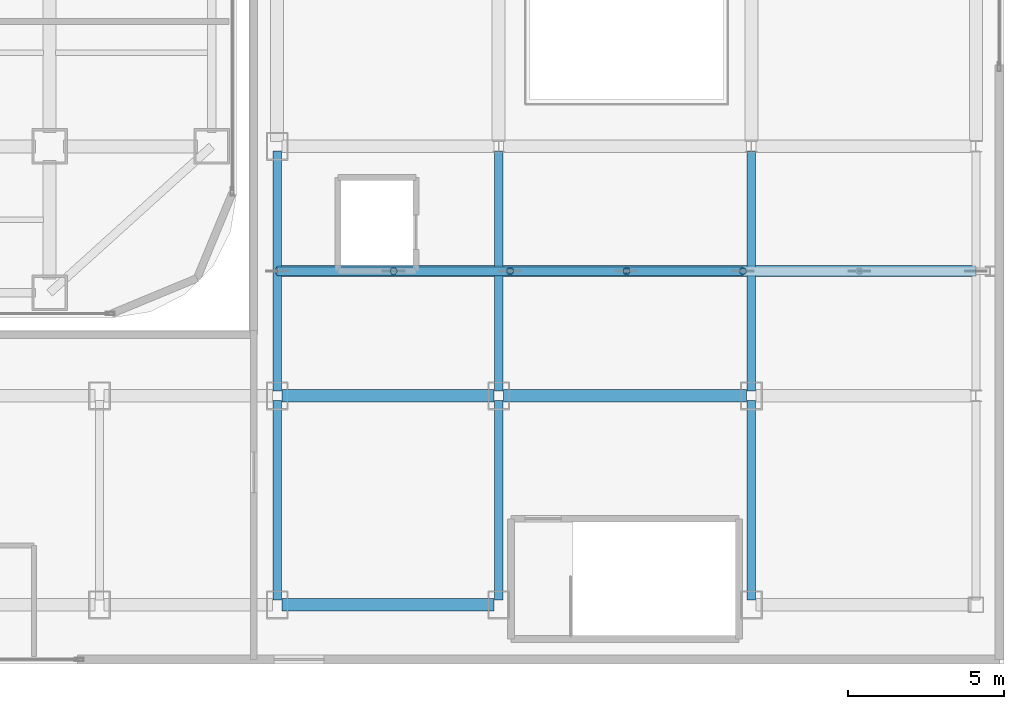
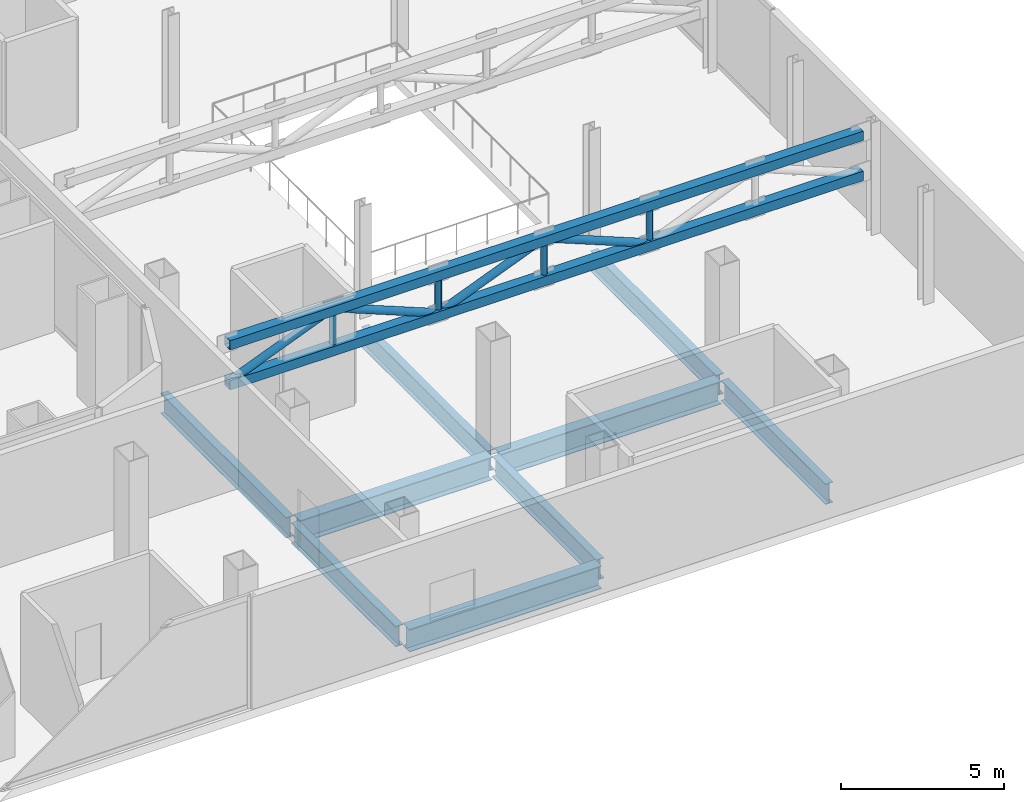
# One storey, part 11 of 28: 10 members, 9 beams.
"""IFC4 building model written with IfcOpenShell, lengths in metres."""

import ifcopenshell
import ifcopenshell.guid

model = None  # the IFC model being written
_history = None  # IfcOwnerHistory: only IFC2X3 demands one
_inside = {}  # id of a spatial element -> (the spatial element, [elements in it])
_under = {}  # id of a project, library or spatial element -> (it, [spatial elements below it])
_declared = {}  # id of a project -> (the project, [libraries it declares])
_typed = {}  # id of a type object -> (the type object, [elements of that type])
_made_of = {}  # id of a material, layer set ... -> (it, [elements and type objects made of it])


def new_model(schema):
    """Start an empty IFC model of exactly this schema.

    Asked for "IFC4X3", IfcOpenShell would pick the latest addendum, in which some entities
    have other attributes; the version numbers below select the first issue.
    IFC2X3 requires an IfcOwnerHistory on every rooted entity: one is made here for all.
    """
    global model, _history
    if schema == "IFC4X3":
        model = ifcopenshell.file(schema_version=(4, 3, 0, 0))
    else:
        model = ifcopenshell.file(schema=schema)
    _inside.clear()
    _under.clear()
    _declared.clear()
    _typed.clear()
    _made_of.clear()
    _history = None
    if model.schema == "IFC2X3":
        org = make("IfcOrganization", Name="unknown")
        user = make(
            "IfcPersonAndOrganization",
            ThePerson=make("IfcPerson", FamilyName="unknown"),
            TheOrganization=org,
        )
        app = make(
            "IfcApplication",
            ApplicationDeveloper=org,
            Version="unknown",
            ApplicationFullName="unknown",
            ApplicationIdentifier="unknown",
        )
        _history = make(
            "IfcOwnerHistory",
            OwningUser=user,
            OwningApplication=app,
            ChangeAction="ADDED",
            CreationDate=0,
        )
    return model


def make(cls, **values):
    """One entity of the class cls with the attributes given. An attribute that is None is left unset."""
    return model.create_entity(
        cls, **{name: value for name, value in values.items() if value is not None}
    )


def rooted(cls, **values):
    """An entity with a GlobalId (a new one), such as an element, a storey or a relation."""
    return make(cls, GlobalId=ifcopenshell.guid.new(), OwnerHistory=_history, **values)


def si_unit(unit_type, name, prefix=None):
    """IfcSIUnit, for example si_unit("LENGTHUNIT", "METRE", prefix="MILLI")."""
    return make("IfcSIUnit", UnitType=unit_type, Prefix=prefix, Name=name)


def assignment(units):
    """IfcUnitAssignment: the units of a project."""
    return None if units is None else make("IfcUnitAssignment", Units=units)


def point(xyz):
    """IfcCartesianPoint."""
    return None if xyz is None else make("IfcCartesianPoint", Coordinates=xyz)


def direction(xyz):
    """IfcDirection."""
    return None if xyz is None else make("IfcDirection", DirectionRatios=xyz)


def frame(location, z_axis=None, x_axis=None):
    """IfcAxis2Placement3D, a coordinate frame: its origin and axes. An axis left out is left unset."""
    return make(
        "IfcAxis2Placement3D",
        Location=point(location),
        Axis=direction(z_axis),
        RefDirection=direction(x_axis),
    )


def frame_2d(location, x_axis=None):
    """IfcAxis2Placement2D, a coordinate frame in the plane: its origin and x axis."""
    return make(
        "IfcAxis2Placement2D", Location=point(location), RefDirection=direction(x_axis)
    )


def origin():
    """The frame at (0, 0, 0) with its axes left unset."""
    return frame((0.0, 0.0, 0.0))


def origin_2d():
    """The frame at (0, 0) in the plane with its x axis left unset."""
    return frame_2d((0.0, 0.0))


def place(relative_to, where):
    """IfcLocalPlacement: puts the frame where relative to a parent placement (None: the world)."""
    return make(
        "IfcLocalPlacement", PlacementRelTo=relative_to, RelativePlacement=where
    )


def context(
    kind, dimensions, precision=None, world=None, true_north=None, identifier=None
):
    """IfcGeometricRepresentationContext, for example the 3D "Model" context."""
    return make(
        "IfcGeometricRepresentationContext",
        ContextIdentifier=identifier,
        ContextType=kind,
        CoordinateSpaceDimension=dimensions,
        Precision=precision,
        WorldCoordinateSystem=world,
        TrueNorth=true_north,
    )


def subcontext(parent, identifier, kind, view, scale=None):
    """IfcGeometricRepresentationSubContext, for example "Body" below "Model"."""
    return make(
        "IfcGeometricRepresentationSubContext",
        ContextIdentifier=identifier,
        ContextType=kind,
        ParentContext=parent,
        TargetScale=scale,
        TargetView=view,
    )


def project(units=None, contexts=None):
    """IfcProject with its units and contexts."""
    return rooted(
        "IfcProject",
        Name="project",
        RepresentationContexts=contexts,
        UnitsInContext=assignment(units),
    )


def spatial(cls, under=None, at=None, **own):
    """A site, building, storey or space (cls), placed at a placement, below another one or the project."""
    s = rooted(cls, ObjectPlacement=at, **own)
    if under is not None:
        _under.setdefault(under.id(), (under, []))[1].append(s)
    return s


def profile(cls, at=None, kind="AREA", **sizes):
    """A parametric profile (cls). Its sizes go by their IFC names, for example OverallWidth=200.0."""
    return make(cls, ProfileType=kind, Position=at, **sizes)


def hollow_rectangle(**sizes):
    """IfcRectangleHollowProfileDef."""
    return profile("IfcRectangleHollowProfileDef", **sizes)


def hollow_circle(**sizes):
    """IfcCircleHollowProfileDef."""
    return profile("IfcCircleHollowProfileDef", **sizes)


def i_section(**sizes):
    """IfcIShapeProfileDef."""
    return profile("IfcIShapeProfileDef", **sizes)


def extrude(swept, where, along, depth):
    """IfcExtrudedAreaSolid: the profile swept, set in the frame where, extruded along a direction by depth."""
    return make(
        "IfcExtrudedAreaSolid",
        SweptArea=swept,
        Position=where,
        ExtrudedDirection=direction(along),
        Depth=depth,
    )


def shape(context_of_items, identifier, shape_type, items):
    """IfcShapeRepresentation: the items that make up one representation, for example the "Body"."""
    return make(
        "IfcShapeRepresentation",
        ContextOfItems=context_of_items,
        RepresentationIdentifier=identifier,
        RepresentationType=shape_type,
        Items=items,
    )


def source(mapping_origin, context_of_items, identifier, shape_type, items):
    """IfcRepresentationMap: a shape defined once, which mapped items show again and again."""
    return make(
        "IfcRepresentationMap",
        MappingOrigin=mapping_origin,
        MappedRepresentation=shape(context_of_items, identifier, shape_type, items),
    )


def transform(
    local_origin,
    x_axis=None,
    y_axis=None,
    z_axis=None,
    scale=None,
    scale2=None,
    scale3=None,
    uniform=True,
):
    """IfcCartesianTransformationOperator3D, or its non-uniform kind. x_axis, y_axis, z_axis: its Axis1, 2, 3."""
    if uniform:
        return make(
            "IfcCartesianTransformationOperator3D",
            Axis1=direction(x_axis),
            Axis2=direction(y_axis),
            LocalOrigin=point(local_origin),
            Scale=scale,
            Axis3=direction(z_axis),
        )
    return make(
        "IfcCartesianTransformationOperator3DnonUniform",
        Axis1=direction(x_axis),
        Axis2=direction(y_axis),
        LocalOrigin=point(local_origin),
        Scale=scale,
        Axis3=direction(z_axis),
        Scale2=scale2,
        Scale3=scale3,
    )


def mapped(mapping_source, mapping_target):
    """IfcMappedItem: shows the shape of a source again, moved by a transform."""
    return make(
        "IfcMappedItem", MappingSource=mapping_source, MappingTarget=mapping_target
    )


def material(Name=None, Category=None):
    """IfcMaterial."""
    return make("IfcMaterial", Name=Name, Category=Category)


def material_profile(
    of_material, cross_section, Name=None, Category=None, Priority=None
):
    """IfcMaterialProfile: a cross section and its material."""
    return make(
        "IfcMaterialProfile",
        Name=Name,
        Material=of_material,
        Profile=cross_section,
        Priority=Priority,
        Category=Category,
    )


def profile_set(profiles, Name=None, composite=None):
    """IfcMaterialProfileSet."""
    return make(
        "IfcMaterialProfileSet",
        Name=Name,
        MaterialProfiles=profiles,
        CompositeProfile=composite,
    )


def made_of(thing, what):
    """Note that an element or type object is made of a material, layer set ...; save() writes the relation."""
    if what is not None:
        _made_of.setdefault(what.id(), (what, []))[1].append(thing)
    return thing


def type_object(cls, material=None, **own):
    """A type object (cls), such as IfcWallType, which elements share."""
    return made_of(rooted(cls, **own), material)


def element(
    cls,
    number,
    at=None,
    inside=None,
    cuts=None,
    type_object=None,
    material=None,
    context=None,
    identifier="Body",
    shape_type=None,
    held_by="IfcProductDefinitionShape",
    body=None,
    shapes=None,
    **own,
):
    """One element of the class cls, such as IfcWall. Its Tag is "e" and its number.

    at: its placement. inside: the storey or other place that contains it. cuts: it is an
    opening in that element (IfcRelVoidsElement). A single representation is given by context,
    identifier, shape_type and body (its items); several are given by shapes. held_by: the class
    of the entity that holds the representations. save() writes the other relations.
    """
    e = rooted(cls, Tag="e%d" % number, ObjectPlacement=at, **own)
    if body is not None:
        shapes = [shape(context, identifier, shape_type, body)]
    if shapes is not None:
        e.Representation = make(held_by, Representations=shapes)
    if inside is not None:
        _inside.setdefault(inside.id(), (inside, []))[1].append(e)
    if cuts is not None:
        rooted(
            "IfcRelVoidsElement", RelatingBuildingElement=cuts, RelatedOpeningElement=e
        )
    if type_object is not None:
        _typed.setdefault(type_object.id(), (type_object, []))[1].append(e)
    return made_of(e, material)


def aggregate(whole, parts):
    """IfcRelAggregates: a whole, such as a stair, and the parts it consists of."""
    return rooted("IfcRelAggregates", RelatingObject=whole, RelatedObjects=parts)


def save(model, path):
    """Write the relations noted so far, then the file.

    IfcRelAggregates (storeys below a building ...), IfcRelContainedInSpatialStructure (elements
    in a storey), IfcRelDefinesByType, IfcRelAssociatesMaterial and IfcRelDeclares: one each for
    every whole, place, type object, material and project.
    """
    for whole, parts in _under.values():
        aggregate(whole, parts)
    for where, things in _inside.values():
        rooted(
            "IfcRelContainedInSpatialStructure",
            RelatedElements=things,
            RelatingStructure=where,
        )
    for kind, things in _typed.values():
        rooted("IfcRelDefinesByType", RelatedObjects=things, RelatingType=kind)
    for what, things in _made_of.values():
        rooted("IfcRelAssociatesMaterial", RelatedObjects=things, RelatingMaterial=what)
    for by, libraries in _declared.values():
        rooted("IfcRelDeclares", RelatingContext=by, RelatedDefinitions=libraries)
    model.write(path)


model = new_model("IFC4")

# Units and contexts
model_context = context("Model", 3, precision=1e-05, world=origin(), true_north=direction((0.0, 1.0)))
body_context = subcontext(model_context, "Body", "Model", "MODEL_VIEW")
ifc_project = project(units=[si_unit("LENGTHUNIT", "METRE"), si_unit("AREAUNIT", "SQUARE_METRE"), si_unit("VOLUMEUNIT", "CUBIC_METRE"), si_unit("PLANEANGLEUNIT", "RADIAN"), si_unit("MASSUNIT", "GRAM", prefix="KILO")], contexts=[model_context])

# Site, building, storey
site_placement = place(None, origin())
site = spatial("IfcSite", under=ifc_project, at=site_placement, CompositionType="ELEMENT")
building_placement = place(site_placement, origin())
building = spatial("IfcBuilding", under=site, at=building_placement, Name="Kolveth Station Tower", CompositionType="ELEMENT")
storey_placement = place(building_placement, frame((0.0, 0.0, 18.0)))
storey = spatial("IfcBuildingStorey", under=building, at=storey_placement, Name="L04", CompositionType="ELEMENT", Elevation=18.0)

# Beams
ifc_material = material(Name="Steel S355", Category="steel")
ifc_material_profile_1 = material_profile(ifc_material, i_section(OverallWidth=0.40087890625, OverallDepth=0.85107421875, WebThickness=0.01611328125, FlangeThickness=0.025390625, at=origin_2d()), Name="W840x226")
ifc_profile_set_1 = profile_set([ifc_material_profile_1], Name="Steel S355")
beam_type_1 = type_object("IfcBeamType", Name="Beam_B2", PredefinedType="BEAM", material=ifc_profile_set_1)
shared_shape_1 = source(origin(), body_context, "Body", "SweptSolid", [
    extrude(i_section(OverallWidth=0.40087890625, OverallDepth=0.85107421875, WebThickness=0.01611328125, FlangeThickness=0.025390625, at=origin_2d()), origin(), (0.0, 0.0, 1.0), 6.800048828125),
])
for number, where, z_axis, x_axis, name in (
    (1, (48.449951171875, -9.199951171875, -0.74560546875), (1.0, 0.0, 0.0), (0.0, 1.0, 0.0), "L04 Station Portal Girder SBM-L04-EW-1-1"),
    (2, (48.449951171875, -2.5, -0.74560546875), (1.0, 0.0, 0.0), (0.0, 1.0, 0.0), "L04 Station Portal Girder SBM-L04-EW-2-1"),
):
    element("IfcBeam", number, at=place(storey_placement, frame(where, z_axis=z_axis, x_axis=x_axis)), inside=storey, type_object=beam_type_1, Name=name, PredefinedType="BEAM", context=body_context, shape_type="MappedRepresentation", body=[
        mapped(shared_shape_1, transform((0.0, 0.0, 0.0), x_axis=(1.0, 0.0, 0.0), y_axis=(0.0, 1.0, 0.0), z_axis=(0.0, 0.0, 1.0), scale=1.0)),
    ])
shared_shape_2 = source(origin(), body_context, "Body", "SweptSolid", [
    extrude(i_section(OverallWidth=0.40087890625, OverallDepth=0.85107421875, WebThickness=0.01611328125, FlangeThickness=0.025390625, at=origin_2d()), origin(), (0.0, 0.0, 1.0), 7.800048828125),
])
beam_placement = place(storey_placement, frame((55.550048828125, -2.5, -0.74560546875), z_axis=(1.0, 0.0, 0.0), x_axis=(0.0, 1.0, 0.0)))
element("IfcBeam", 3, at=beam_placement, inside=storey, type_object=beam_type_1, Name="L04 Station Portal Girder SBM-L04-EW-2-2", PredefinedType="BEAM", context=body_context, shape_type="MappedRepresentation", body=[
    mapped(shared_shape_2, transform((0.0, 0.0, 0.0), x_axis=(1.0, 0.0, 0.0), y_axis=(0.0, 1.0, 0.0), z_axis=(0.0, 0.0, 1.0), scale=1.0)),
])
ifc_material_profile_2 = material_profile(ifc_material, i_section(OverallWidth=0.26708984375, OverallDepth=0.76611328125, WebThickness=0.014892578125, FlangeThickness=0.023681640625, at=origin_2d()), Name="W760x185")
ifc_profile_set_2 = profile_set([ifc_material_profile_2], Name="Steel S355")
beam_type_2 = type_object("IfcBeamType", Name="Beam_B3", PredefinedType="BEAM", material=ifc_profile_set_2)
shared_shape_3 = source(origin(), body_context, "Body", "SweptSolid", [
    extrude(i_section(OverallWidth=0.26708984375, OverallDepth=0.76611328125, WebThickness=0.014892578125, FlangeThickness=0.023681640625, at=origin_2d()), origin(), (0.0, 0.0, 1.0), 6.400146484375),
])
for number, where, z_axis, x_axis, name in (
    (4, (48.300048828125, -9.050048828125, -0.702880859375), (0.0, 1.0, 0.0), (-1.0, 0.0, 0.0), "L04 Station Spine Girder SBM-L04-NS-1-1"),
    (5, (55.39990234375, -9.050048828125, -0.702880859375), (0.0, 1.0, 0.0), (-1.0, 0.0, 0.0), "L04 Station Spine Girder SBM-L04-NS-2-1"),
    (6, (63.5, -9.050048828125, -0.702880859375), (0.0, 1.0, 0.0), (-1.0, 0.0, 0.0), "L04 Station Spine Girder SBM-L04-NS-3-1"),
):
    element("IfcBeam", number, at=place(storey_placement, frame(where, z_axis=z_axis, x_axis=x_axis)), inside=storey, type_object=beam_type_2, Name=name, PredefinedType="BEAM", context=body_context, shape_type="MappedRepresentation", body=[
        mapped(shared_shape_3, transform((0.0, 0.0, 0.0), x_axis=(1.0, 0.0, 0.0), y_axis=(0.0, 1.0, 0.0), z_axis=(0.0, 0.0, 1.0), scale=1.0)),
    ])
shared_shape_4 = source(origin(), body_context, "Body", "SweptSolid", [
    extrude(i_section(OverallWidth=0.26708984375, OverallDepth=0.76611328125, WebThickness=0.014892578125, FlangeThickness=0.023681640625, at=origin_2d()), origin(), (0.0, 0.0, 1.0), 7.7001953125),
])
for number, where, z_axis, x_axis, name in (
    (7, (48.300048828125, -2.35009765625, -0.702880859375), (0.0, 1.0, 0.0), (-1.0, 0.0, 0.0), "L04 Station Spine Girder SBM-L04-NS-1-2"),
    (8, (55.39990234375, -2.35009765625, -0.702880859375), (0.0, 1.0, 0.0), (-1.0, 0.0, 0.0), "L04 Station Spine Girder SBM-L04-NS-2-2"),
    (9, (63.5, -2.35009765625, -0.702880859375), (0.0, 1.0, 0.0), (-1.0, 0.0, 0.0), "L04 Station Spine Girder SBM-L04-NS-3-2"),
):
    element("IfcBeam", number, at=place(storey_placement, frame(where, z_axis=z_axis, x_axis=x_axis)), inside=storey, type_object=beam_type_2, Name=name, PredefinedType="BEAM", context=body_context, shape_type="MappedRepresentation", body=[
        mapped(shared_shape_4, transform((0.0, 0.0, 0.0), x_axis=(1.0, 0.0, 0.0), y_axis=(0.0, 1.0, 0.0), z_axis=(0.0, 0.0, 1.0), scale=1.0)),
    ])

# Members
ifc_material_profile_3 = material_profile(ifc_material, hollow_rectangle(XDim=0.35009765625, YDim=0.35009765625, WallThickness=0.02001953125, at=origin_2d()), Name="HSS350x350x20")
ifc_profile_set_3 = profile_set([ifc_material_profile_3], Name="Steel S355")
member_type_1 = type_object("IfcMemberType", Name="Mem_CH2", PredefinedType="CHORD", material=ifc_profile_set_3)
shared_shape_5 = source(origin(), body_context, "Body", "SweptSolid", [
    extrude(hollow_rectangle(XDim=0.35009765625, YDim=0.35009765625, WallThickness=0.02001953125, at=origin_2d()), origin(), (0.0, 0.0, 1.0), 22.39990234375),
])
for number, where, z_axis, x_axis, name in (
    (10, (48.300048828125, 1.5, 3.85009765625), (1.0, 0.0, 0.0), (0.0, 1.0, 0.0), "Station Roof Truss 1 Top Chord"),
    (11, (48.300048828125, 1.5, 2.35009765625), (1.0, 0.0, 0.0), (0.0, 1.0, 0.0), "Station Roof Truss 1 Bottom Chord"),
):
    element("IfcMember", number, at=place(storey_placement, frame(where, z_axis=z_axis, x_axis=x_axis)), inside=storey, type_object=member_type_1, Name=name, PredefinedType="CHORD", context=body_context, shape_type="MappedRepresentation", body=[
        mapped(shared_shape_5, transform((0.0, 0.0, 0.0), x_axis=(1.0, 0.0, 0.0), y_axis=(0.0, 1.0, 0.0), z_axis=(0.0, 0.0, 1.0), scale=1.0)),
    ])
ifc_material_profile_4 = material_profile(ifc_material, hollow_circle(Radius=0.136474609375, WallThickness=0.012451171875, at=origin_2d()), Name="CHS273x12.5")
ifc_profile_set_4 = profile_set([ifc_material_profile_4], Name="Steel S355")
member_type_2 = type_object("IfcMemberType", Name="Mem_BR5", PredefinedType="BRACE", material=ifc_profile_set_4)
shared_shape_6 = source(origin(), body_context, "Body", "SweptSolid", [
    extrude(hollow_circle(Radius=0.136474609375, WallThickness=0.012451171875, at=origin_2d()), origin(), (0.0, 0.0, 1.0), 4.0234375),
])
for number, where, z_axis, x_axis, name in (
    (12, (48.300048828125, 1.5, 2.35009765625), (0.927906471561, 0.0, 0.372813063123), (0.0, 1.0, 0.0), "Station Roof Truss 1 Diagonal 1"),
    (13, (55.7666015625, 1.5, 2.35009765625), (0.927906471561, 0.0, 0.372813063123), (0.0, 1.0, 0.0), "Station Roof Truss 1 Diagonal 3"),
    (14, (59.5, 1.5, 3.85009765625), (0.927906471561, 0.0, -0.372813063123), (0.0, 1.0, 0.0), "Station Roof Truss 1 Diagonal 4"),
):
    element("IfcMember", number, at=place(storey_placement, frame(where, z_axis=z_axis, x_axis=x_axis)), inside=storey, type_object=member_type_2, Name=name, PredefinedType="BRACE", context=body_context, shape_type="MappedRepresentation", body=[
        mapped(shared_shape_6, transform((0.0, 0.0, 0.0), x_axis=(1.0, 0.0, 0.0), y_axis=(0.0, 1.0, 0.0), z_axis=(0.0, 0.0, 1.0), scale=1.0)),
    ])
shared_shape_7 = source(origin(), body_context, "Body", "SweptSolid", [
    extrude(hollow_circle(Radius=0.136474609375, WallThickness=0.012451171875, at=origin_2d()), origin(), (0.0, 0.0, 1.0), 4.023193359375),
])
member_placement = place(storey_placement, frame((52.033447265625, 1.5, 3.85009765625), z_axis=(0.927898037071, 0.0, -0.372834055311), x_axis=(0.0, 1.0, 0.0)))
element("IfcMember", 15, at=member_placement, inside=storey, type_object=member_type_2, Name="Station Roof Truss 1 Diagonal 2", PredefinedType="BRACE", context=body_context, shape_type="MappedRepresentation", body=[
    mapped(shared_shape_7, transform((0.0, 0.0, 0.0), x_axis=(1.0, 0.0, 0.0), y_axis=(0.0, 1.0, 0.0), z_axis=(0.0, 0.0, 1.0), scale=1.0)),
])
ifc_material_profile_5 = material_profile(ifc_material, hollow_circle(Radius=0.109619140625, WallThickness=0.010009765625, at=origin_2d()), Name="CHS219x10")
ifc_profile_set_5 = profile_set([ifc_material_profile_5], Name="Steel S355")
member_type_3 = type_object("IfcMemberType", Name="Mem_ST-R1", PredefinedType="STRUT", material=ifc_profile_set_5)
shared_shape_8 = source(origin(), body_context, "Body", "SweptSolid", [
    extrude(hollow_circle(Radius=0.109619140625, WallThickness=0.010009765625, at=origin_2d()), origin(), (0.0, 0.0, 1.0), 1.5),
])
for number, where, z_axis, x_axis, name in (
    (16, (52.033447265625, 1.5, 2.35009765625), (0.0, 0.0, 1.0), (1.0, 0.0, 0.0), "Station Roof Truss 1 Strut 1"),
    (17, (55.7666015625, 1.5, 2.35009765625), (0.0, 0.0, 1.0), (1.0, 0.0, 0.0), "Station Roof Truss 1 Strut 2"),
    (18, (59.5, 1.5, 2.35009765625), (0.0, 0.0, 1.0), (1.0, 0.0, 0.0), "Station Roof Truss 1 Strut 3"),
    (19, (63.2333984375, 1.5, 2.35009765625), (0.0, 0.0, 1.0), (1.0, 0.0, 0.0), "Station Roof Truss 1 Strut 4"),
):
    element("IfcMember", number, at=place(storey_placement, frame(where, z_axis=z_axis, x_axis=x_axis)), inside=storey, type_object=member_type_3, Name=name, PredefinedType="STRUT", context=body_context, shape_type="MappedRepresentation", body=[
        mapped(shared_shape_8, transform((0.0, 0.0, 0.0), x_axis=(1.0, 0.0, 0.0), y_axis=(0.0, 1.0, 0.0), z_axis=(0.0, 0.0, 1.0), scale=1.0)),
    ])

save(model, "model.ifc")
